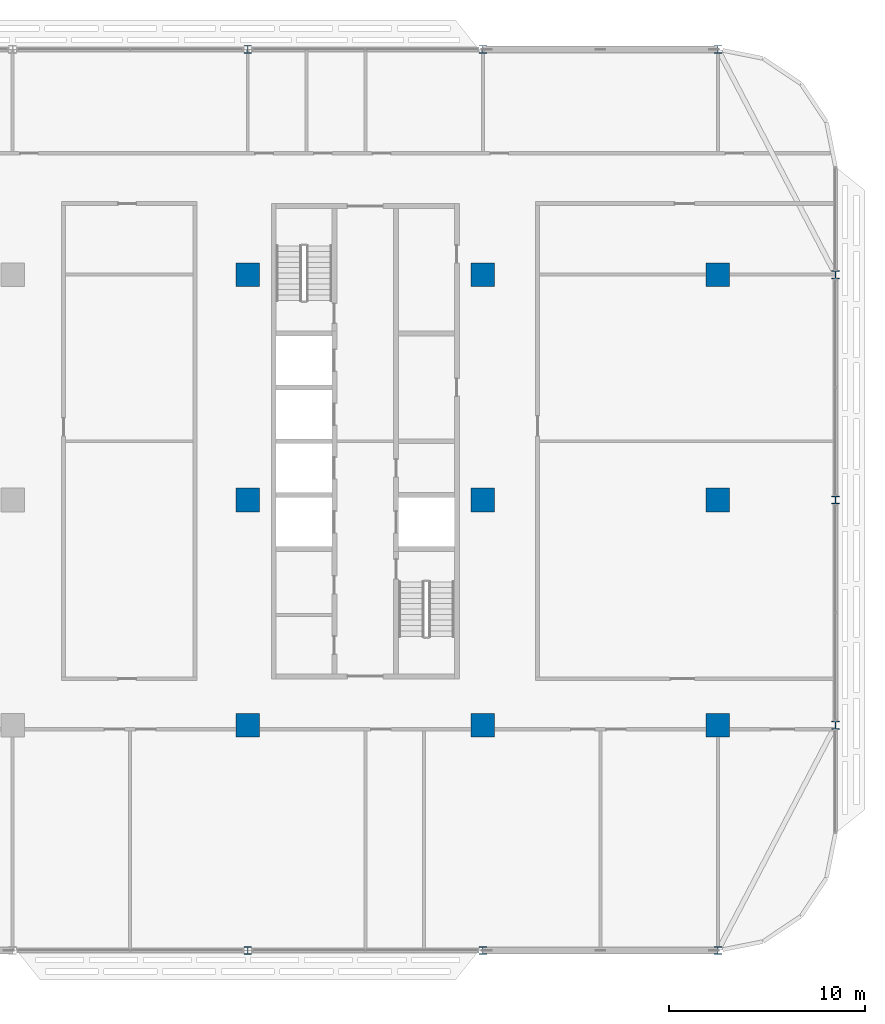
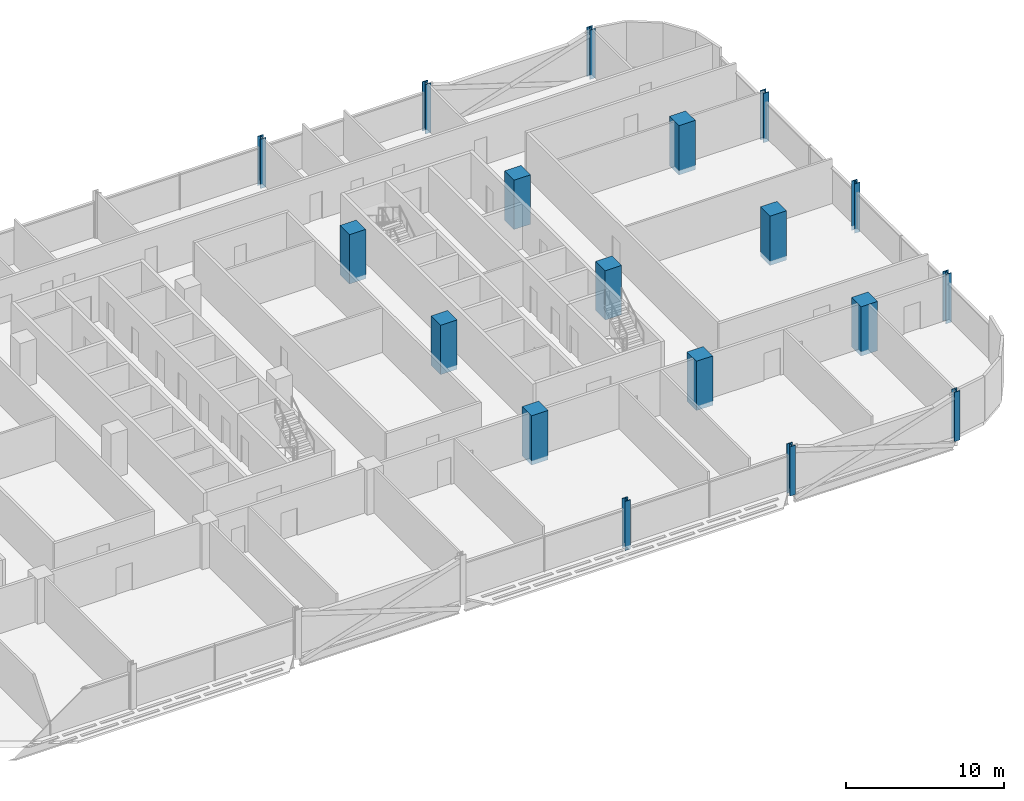
# One storey, part 2 of 27: 18 columns.
"""IFC4 building model written with IfcOpenShell, lengths in metres."""

from ifc_helpers import new_model, si_unit, direction, frame, origin, origin_2d, place, context, subcontext, project, spatial, rectangle, i_section, extrude, material, material_profile, profile_set, type_object, element, save


model = new_model("IFC4")

# Units and contexts
model_context = context("Model", 3, precision=1e-05, world=origin(), true_north=direction((0.0, 1.0)))
body_context = subcontext(model_context, "Body", "Model", "MODEL_VIEW")
ifc_project = project(units=[si_unit("LENGTHUNIT", "METRE"), si_unit("AREAUNIT", "SQUARE_METRE"), si_unit("VOLUMEUNIT", "CUBIC_METRE"), si_unit("PLANEANGLEUNIT", "RADIAN"), si_unit("MASSUNIT", "GRAM", prefix="KILO")], contexts=[model_context])

# Site, building, storey
site_placement = place(None, origin())
site = spatial("IfcSite", under=ifc_project, at=site_placement, CompositionType="ELEMENT")
building_placement = place(site_placement, origin())
building = spatial("IfcBuilding", under=site, at=building_placement, Name="Mahtab Terrace Research Tower", CompositionType="ELEMENT")
storey_placement = place(building_placement, frame((0.0, 0.0, 166.800048828125)))
storey = spatial("IfcBuildingStorey", under=building, at=storey_placement, Name="L39", CompositionType="ELEMENT", Elevation=166.800048828125)

# Columns
ifc_material_1 = material(Name="Concrete C70/85", Category="concrete")
ifc_material_profile_1 = material_profile(ifc_material_1, rectangle(XDim=1.199951171875, YDim=1.199951171875, at=origin_2d()), Name="RC column 1200x1200")
ifc_profile_set_1 = profile_set([ifc_material_profile_1], Name="Concrete C70/85")
column_type_1 = type_object("IfcColumnType", Name="RC column 1200x1200", PredefinedType="COLUMN", material=ifc_profile_set_1)
for number, where, z_axis, x_axis, name in (
    (1, (18.0, -11.5, -0.340087890625), (0.0, 0.0, 1.0), (1.0, 0.0, 0.0), "Column RC-6A L39"),
    (2, (18.0, 0.0, -0.340087890625), (0.0, 0.0, 1.0), (1.0, 0.0, 0.0), "Column RC-6B L39"),
    (3, (18.0, 11.5, -0.340087890625), (0.0, 0.0, 1.0), (1.0, 0.0, 0.0), "Column RC-6C L39"),
    (4, (30.0, -11.5, -0.340087890625), (0.0, 0.0, 1.0), (1.0, 0.0, 0.0), "Column RC-7A L39"),
    (5, (30.0, 0.0, -0.340087890625), (0.0, 0.0, 1.0), (1.0, 0.0, 0.0), "Column RC-7B L39"),
    (6, (30.0, 11.5, -0.340087890625), (0.0, 0.0, 1.0), (1.0, 0.0, 0.0), "Column RC-7C L39"),
    (7, (42.0, -11.5, -0.340087890625), (0.0, 0.0, 1.0), (1.0, 0.0, 0.0), "Column RC-8A L39"),
    (8, (42.0, 0.0, -0.340087890625), (0.0, 0.0, 1.0), (1.0, 0.0, 0.0), "Column RC-8B L39"),
    (9, (42.0, 11.5, -0.340087890625), (0.0, 0.0, 1.0), (1.0, 0.0, 0.0), "Column RC-8C L39"),
):
    element("IfcColumn", number, at=place(storey_placement, frame(where, z_axis=z_axis, x_axis=x_axis)), inside=storey, type_object=column_type_1, Name=name, PredefinedType="COLUMN", context=body_context, shape_type="SweptSolid", body=[
        extrude(rectangle(XDim=1.199951171875, YDim=1.199951171875, at=origin_2d()), origin(), (0.0, 0.0, 1.0), 3.800048828125),
    ])
ifc_material_2 = material(Name="Steel ASTM A992 Gr 50", Category="steel")
ifc_material_profile_2 = material_profile(ifc_material_2, i_section(OverallWidth=0.406494140625, OverallDepth=0.41650390625, WebThickness=0.030029296875, FlangeThickness=0.048095703125, at=origin_2d()), Name="W14X257")
ifc_profile_set_2 = profile_set([ifc_material_profile_2], Name="Steel ASTM A992 Gr 50")
column_type_2 = type_object("IfcColumnType", Name="W14x257 column CS14257", PredefinedType="COLUMN", material=ifc_profile_set_2)
for number, where, z_axis, x_axis, name in (
    (10, (42.0, 23.0, -0.340087890625), (0.0, 0.0, 1.0), (1.0, 0.0, 0.0), "Column SC-001 L39"),
    (11, (30.0, 23.0, -0.340087890625), (0.0, 0.0, 1.0), (1.0, 0.0, 0.0), "Column SC-002 L39"),
    (12, (18.0, 23.0, -0.340087890625), (0.0, 0.0, 1.0), (1.0, 0.0, 0.0), "Column SC-003 L39"),
    (13, (18.0, -23.0, -0.340087890625), (0.0, 0.0, 1.0), (1.0, 0.0, 0.0), "Column SC-017 L39"),
    (14, (30.0, -23.0, -0.340087890625), (0.0, 0.0, 1.0), (1.0, 0.0, 0.0), "Column SC-018 L39"),
    (15, (42.0, -23.0, -0.340087890625), (0.0, 0.0, 1.0), (1.0, 0.0, 0.0), "Column SC-019 L39"),
    (16, (48.0, -11.5, -0.340087890625), (0.0, 0.0, 1.0), (1.0, 0.0, 0.0), "Column SC-020 L39"),
    (17, (48.0, 0.0, -0.340087890625), (0.0, 0.0, 1.0), (1.0, 0.0, 0.0), "Column SC-021 L39"),
    (18, (48.0, 11.5, -0.340087890625), (0.0, 0.0, 1.0), (1.0, 0.0, 0.0), "Column SC-022 L39"),
):
    element("IfcColumn", number, at=place(storey_placement, frame(where, z_axis=z_axis, x_axis=x_axis)), inside=storey, type_object=column_type_2, Name=name, PredefinedType="COLUMN", context=body_context, shape_type="SweptSolid", body=[
        extrude(i_section(OverallWidth=0.406494140625, OverallDepth=0.41650390625, WebThickness=0.030029296875, FlangeThickness=0.048095703125, at=origin_2d()), origin(), (0.0, 0.0, 1.0), 3.800048828125),
    ])

save(model, "model.ifc")
